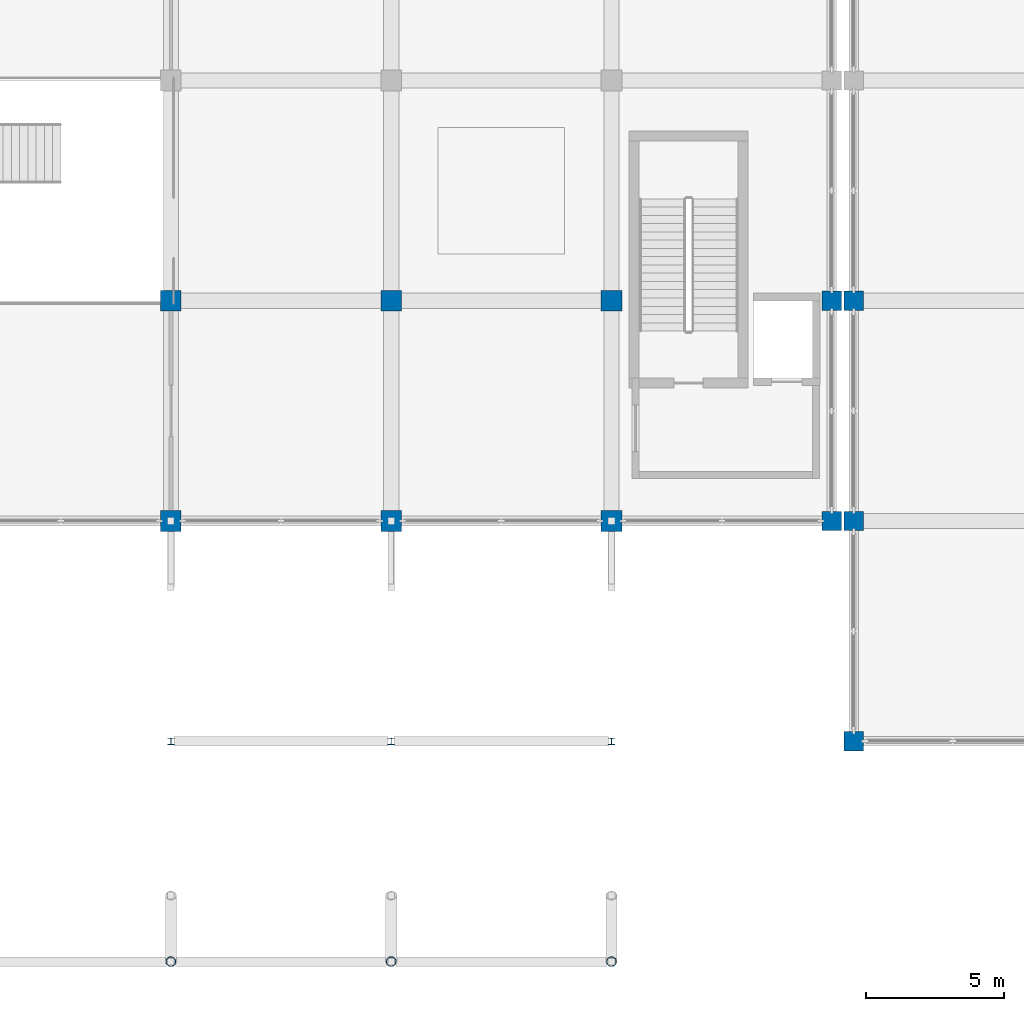
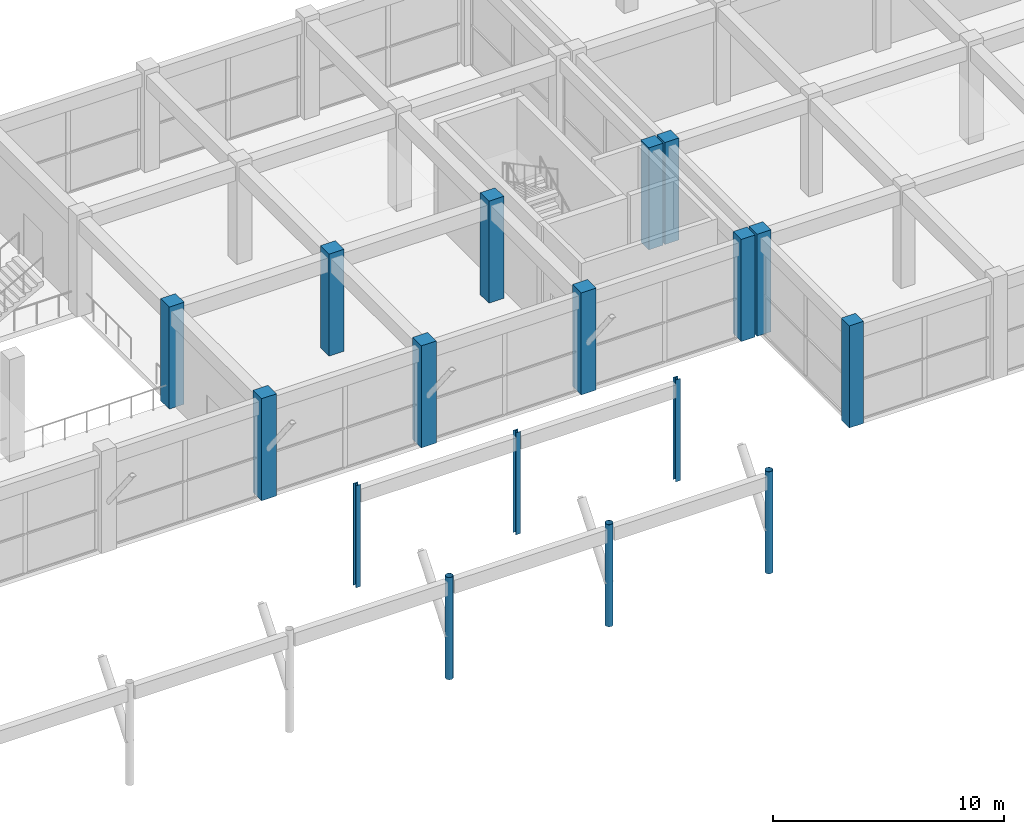
# One storey, part 5 of 69: 17 columns.
"""IFC4 building model written with IfcOpenShell, lengths in metres."""

from ifc_helpers import new_model, si_unit, direction, frame, origin, origin_2d, place, context, subcontext, project, spatial, rectangle, hollow_circle, i_section, extrude, material, material_profile, profile_set, type_object, element, save


model = new_model("IFC4")

# Units and contexts
model_context = context("Model", 3, precision=1e-05, world=origin(), true_north=direction((0.0, 1.0)))
body_context = subcontext(model_context, "Body", "Model", "MODEL_VIEW")
ifc_project = project(units=[si_unit("LENGTHUNIT", "METRE"), si_unit("AREAUNIT", "SQUARE_METRE"), si_unit("VOLUMEUNIT", "CUBIC_METRE"), si_unit("PLANEANGLEUNIT", "RADIAN"), si_unit("MASSUNIT", "GRAM", prefix="KILO")], contexts=[model_context])

# Site, building, storey
site_placement = place(None, origin())
site = spatial("IfcSite", under=ifc_project, at=site_placement, CompositionType="ELEMENT")
building_placement = place(site_placement, origin())
building = spatial("IfcBuilding", under=site, at=building_placement, Name="Kenh Van Central Station", CompositionType="ELEMENT")
storey_placement = place(building_placement, frame((0.0, 0.0, 5.39990234375)))
storey = spatial("IfcBuildingStorey", under=building, at=storey_placement, Name="L01", CompositionType="ELEMENT", Elevation=5.39990234375)

# Columns
ifc_material_1 = material(Name="Concrete C40/50", Category="concrete")
ifc_material_profile_1 = material_profile(ifc_material_1, rectangle(XDim=0.699951171875, YDim=0.699951171875, at=origin_2d()), Name="RC 700x700")
ifc_profile_set_1 = profile_set([ifc_material_profile_1], Name="Concrete C40/50")
column_type_1 = type_object("IfcColumnType", Name="COL-RC-700x700", PredefinedType="COLUMN", material=ifc_profile_set_1)
for number, where, z_axis, x_axis, name in (
    (1, (120.0, 16.0, 0.0), (0.0, 0.0, 1.0), (1.0, 0.0, 0.0), "L01 column CC-120-016"),
    (2, (120.0, 24.0, 0.0), (0.0, 0.0, 1.0), (1.0, 0.0, 0.0), "L01 column CC-120-024"),
    (3, (120.800048828125, 8.0, 0.0), (0.0, 0.0, 1.0), (1.0, 0.0, 0.0), "L01 column CE-1208-008"),
    (4, (120.800048828125, 16.0, 0.0), (0.0, 0.0, 1.0), (1.0, 0.0, 0.0), "L01 column CE-1208-016"),
    (5, (120.800048828125, 24.0, 0.0), (0.0, 0.0, 1.0), (1.0, 0.0, 0.0), "L01 column CE-1208-024"),
):
    element("IfcColumn", number, at=place(storey_placement, frame(where, z_axis=z_axis, x_axis=x_axis)), inside=storey, type_object=column_type_1, Name=name, PredefinedType="COLUMN", context=body_context, shape_type="SweptSolid", body=[
        extrude(rectangle(XDim=0.699951171875, YDim=0.699951171875, at=origin_2d()), origin(), (0.0, 0.0, 1.0), 5.400146484375),
    ])
ifc_material_profile_2 = material_profile(ifc_material_1, rectangle(XDim=0.75, YDim=0.75, at=origin_2d()), Name="RC 750x750")
ifc_profile_set_2 = profile_set([ifc_material_profile_2], Name="Concrete C40/50")
column_type_2 = type_object("IfcColumnType", Name="COL-RC-750x750", PredefinedType="COLUMN", material=ifc_profile_set_2)
for number, where, z_axis, x_axis, name in (
    (6, (96.0, 16.0, 0.0), (0.0, 0.0, 1.0), (1.0, 0.0, 0.0), "L01 column CC-096-016"),
    (7, (96.0, 24.0, 0.0), (0.0, 0.0, 1.0), (1.0, 0.0, 0.0), "L01 column CC-096-024"),
    (8, (104.0, 16.0, 0.0), (0.0, 0.0, 1.0), (1.0, 0.0, 0.0), "L01 column CC-104-016"),
    (9, (104.0, 24.0, 0.0), (0.0, 0.0, 1.0), (1.0, 0.0, 0.0), "L01 column CC-104-024"),
    (10, (112.0, 16.0, 0.0), (0.0, 0.0, 1.0), (1.0, 0.0, 0.0), "L01 column CC-112-016"),
    (11, (112.0, 24.0, 0.0), (0.0, 0.0, 1.0), (1.0, 0.0, 0.0), "L01 column CC-112-024"),
):
    element("IfcColumn", number, at=place(storey_placement, frame(where, z_axis=z_axis, x_axis=x_axis)), inside=storey, type_object=column_type_2, Name=name, PredefinedType="COLUMN", context=body_context, shape_type="SweptSolid", body=[
        extrude(rectangle(XDim=0.75, YDim=0.75, at=origin_2d()), origin(), (0.0, 0.0, 1.0), 5.400146484375),
    ])
ifc_material_2 = material(Name="Steel S355", Category="steel")
ifc_material_profile_3 = material_profile(ifc_material_2, hollow_circle(Radius=0.177734375, WallThickness=0.012451171875, at=origin_2d()), Name="CHS 355.6x12.5")
ifc_profile_set_3 = profile_set([ifc_material_profile_3], Name="Steel S355")
column_type_3 = type_object("IfcColumnType", Name="COL-STL-CAN356", PredefinedType="COLUMN", material=ifc_profile_set_3)
for number, where, z_axis, x_axis, name in (
    (12, (96.0, 0.0, 0.0), (0.0, 0.0, 1.0), (1.0, 0.0, 0.0), "L01 column CF-096-000"),
    (13, (104.0, 0.0, 0.0), (0.0, 0.0, 1.0), (1.0, 0.0, 0.0), "L01 column CF-104-000"),
    (14, (112.0, 0.0, 0.0), (0.0, 0.0, 1.0), (1.0, 0.0, 0.0), "L01 column CF-112-000"),
):
    element("IfcColumn", number, at=place(storey_placement, frame(where, z_axis=z_axis, x_axis=x_axis)), inside=storey, type_object=column_type_3, Name=name, PredefinedType="COLUMN", context=body_context, shape_type="SweptSolid", body=[
        extrude(hollow_circle(Radius=0.177734375, WallThickness=0.012451171875, at=origin_2d()), origin(), (0.0, 0.0, 1.0), 5.400146484375),
    ])
ifc_material_profile_4 = material_profile(ifc_material_2, i_section(OverallWidth=0.239990234375, OverallDepth=0.239990234375, WebThickness=0.010009765625, FlangeThickness=0.01708984375, FilletRadius=0.02099609375, at=origin_2d()), Name="HEB 240")
ifc_profile_set_4 = profile_set([ifc_material_profile_4], Name="Steel S355")
column_type_4 = type_object("IfcColumnType", Name="COL-STL-HEB240", PredefinedType="COLUMN", material=ifc_profile_set_4)
for number, where, z_axis, x_axis, name in (
    (15, (96.0, 8.0, 0.0), (0.0, 0.0, 1.0), (1.0, 0.0, 0.0), "L01 column CF-096-008"),
    (16, (104.0, 8.0, 0.0), (0.0, 0.0, 1.0), (1.0, 0.0, 0.0), "L01 column CF-104-008"),
    (17, (112.0, 8.0, 0.0), (0.0, 0.0, 1.0), (1.0, 0.0, 0.0), "L01 column CF-112-008"),
):
    element("IfcColumn", number, at=place(storey_placement, frame(where, z_axis=z_axis, x_axis=x_axis)), inside=storey, type_object=column_type_4, Name=name, PredefinedType="COLUMN", context=body_context, shape_type="SweptSolid", body=[
        extrude(i_section(OverallWidth=0.239990234375, OverallDepth=0.239990234375, WebThickness=0.010009765625, FlangeThickness=0.01708984375, FilletRadius=0.02099609375, at=origin_2d()), origin(), (0.0, 0.0, 1.0), 5.400146484375),
    ])

save(model, "model.ifc")
